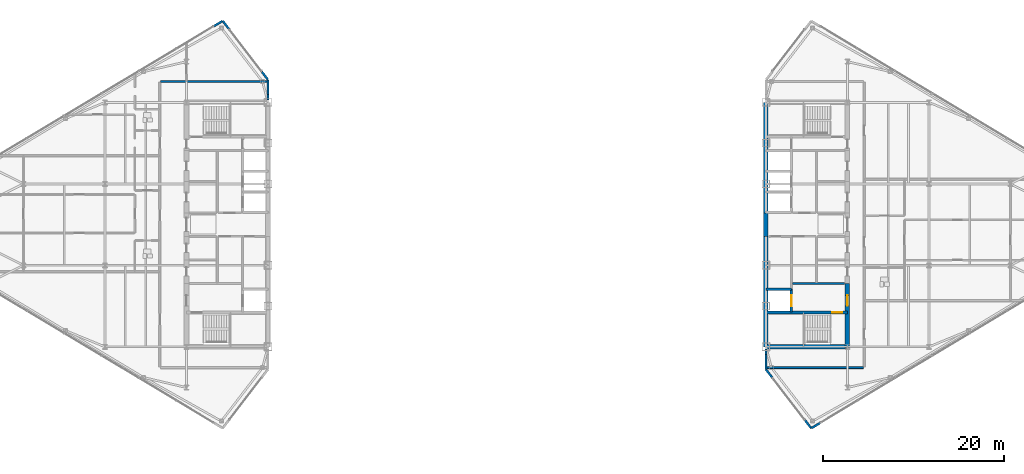
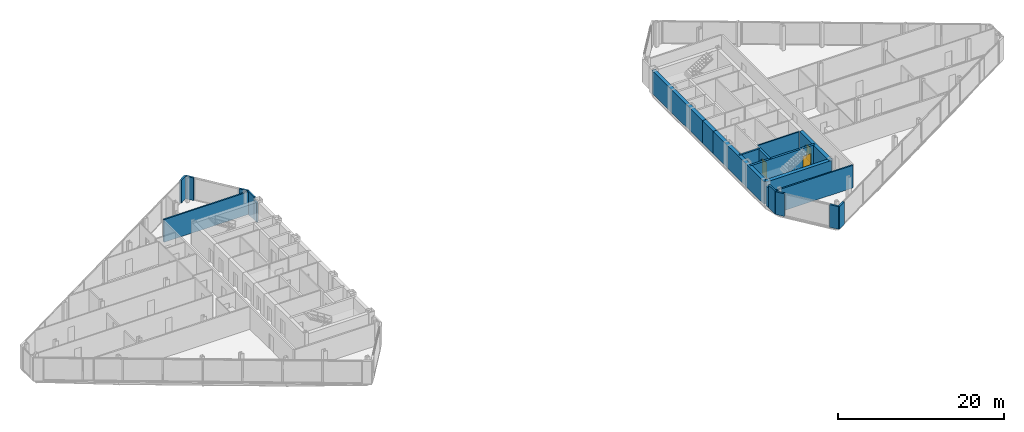
# One storey, part 21 of 26: 21 walls, 3 doors, 3 openings.
"""IFC4 building model written with IfcOpenShell, lengths in metres."""

import ifcopenshell
import ifcopenshell.guid

model = None  # the IFC model being written
_history = None  # IfcOwnerHistory: only IFC2X3 demands one
_inside = {}  # id of a spatial element -> (the spatial element, [elements in it])
_under = {}  # id of a project, library or spatial element -> (it, [spatial elements below it])
_declared = {}  # id of a project -> (the project, [libraries it declares])
_typed = {}  # id of a type object -> (the type object, [elements of that type])
_made_of = {}  # id of a material, layer set ... -> (it, [elements and type objects made of it])


def new_model(schema):
    """Start an empty IFC model of exactly this schema.

    Asked for "IFC4X3", IfcOpenShell would pick the latest addendum, in which some entities
    have other attributes; the version numbers below select the first issue.
    IFC2X3 requires an IfcOwnerHistory on every rooted entity: one is made here for all.
    """
    global model, _history
    if schema == "IFC4X3":
        model = ifcopenshell.file(schema_version=(4, 3, 0, 0))
    else:
        model = ifcopenshell.file(schema=schema)
    _inside.clear()
    _under.clear()
    _declared.clear()
    _typed.clear()
    _made_of.clear()
    _history = None
    if model.schema == "IFC2X3":
        org = make("IfcOrganization", Name="unknown")
        user = make(
            "IfcPersonAndOrganization",
            ThePerson=make("IfcPerson", FamilyName="unknown"),
            TheOrganization=org,
        )
        app = make(
            "IfcApplication",
            ApplicationDeveloper=org,
            Version="unknown",
            ApplicationFullName="unknown",
            ApplicationIdentifier="unknown",
        )
        _history = make(
            "IfcOwnerHistory",
            OwningUser=user,
            OwningApplication=app,
            ChangeAction="ADDED",
            CreationDate=0,
        )
    return model


def make(cls, **values):
    """One entity of the class cls with the attributes given. An attribute that is None is left unset."""
    return model.create_entity(
        cls, **{name: value for name, value in values.items() if value is not None}
    )


def rooted(cls, **values):
    """An entity with a GlobalId (a new one), such as an element, a storey or a relation."""
    return make(cls, GlobalId=ifcopenshell.guid.new(), OwnerHistory=_history, **values)


def si_unit(unit_type, name, prefix=None):
    """IfcSIUnit, for example si_unit("LENGTHUNIT", "METRE", prefix="MILLI")."""
    return make("IfcSIUnit", UnitType=unit_type, Prefix=prefix, Name=name)


def assignment(units):
    """IfcUnitAssignment: the units of a project."""
    return None if units is None else make("IfcUnitAssignment", Units=units)


def point(xyz):
    """IfcCartesianPoint."""
    return None if xyz is None else make("IfcCartesianPoint", Coordinates=xyz)


def direction(xyz):
    """IfcDirection."""
    return None if xyz is None else make("IfcDirection", DirectionRatios=xyz)


def frame(location, z_axis=None, x_axis=None):
    """IfcAxis2Placement3D, a coordinate frame: its origin and axes. An axis left out is left unset."""
    return make(
        "IfcAxis2Placement3D",
        Location=point(location),
        Axis=direction(z_axis),
        RefDirection=direction(x_axis),
    )


def frame_2d(location, x_axis=None):
    """IfcAxis2Placement2D, a coordinate frame in the plane: its origin and x axis."""
    return make(
        "IfcAxis2Placement2D", Location=point(location), RefDirection=direction(x_axis)
    )


def origin():
    """The frame at (0, 0, 0) with its axes left unset."""
    return frame((0.0, 0.0, 0.0))


def place(relative_to, where):
    """IfcLocalPlacement: puts the frame where relative to a parent placement (None: the world)."""
    return make(
        "IfcLocalPlacement", PlacementRelTo=relative_to, RelativePlacement=where
    )


def context(
    kind, dimensions, precision=None, world=None, true_north=None, identifier=None
):
    """IfcGeometricRepresentationContext, for example the 3D "Model" context."""
    return make(
        "IfcGeometricRepresentationContext",
        ContextIdentifier=identifier,
        ContextType=kind,
        CoordinateSpaceDimension=dimensions,
        Precision=precision,
        WorldCoordinateSystem=world,
        TrueNorth=true_north,
    )


def subcontext(parent, identifier, kind, view, scale=None):
    """IfcGeometricRepresentationSubContext, for example "Body" below "Model"."""
    return make(
        "IfcGeometricRepresentationSubContext",
        ContextIdentifier=identifier,
        ContextType=kind,
        ParentContext=parent,
        TargetScale=scale,
        TargetView=view,
    )


def project(units=None, contexts=None):
    """IfcProject with its units and contexts."""
    return rooted(
        "IfcProject",
        Name="project",
        RepresentationContexts=contexts,
        UnitsInContext=assignment(units),
    )


def spatial(cls, under=None, at=None, **own):
    """A site, building, storey or space (cls), placed at a placement, below another one or the project."""
    s = rooted(cls, ObjectPlacement=at, **own)
    if under is not None:
        _under.setdefault(under.id(), (under, []))[1].append(s)
    return s


def profile(cls, at=None, kind="AREA", **sizes):
    """A parametric profile (cls). Its sizes go by their IFC names, for example OverallWidth=200.0."""
    return make(cls, ProfileType=kind, Position=at, **sizes)


def rectangle(**sizes):
    """IfcRectangleProfileDef."""
    return profile("IfcRectangleProfileDef", **sizes)


def extrude(swept, where, along, depth):
    """IfcExtrudedAreaSolid: the profile swept, set in the frame where, extruded along a direction by depth."""
    return make(
        "IfcExtrudedAreaSolid",
        SweptArea=swept,
        Position=where,
        ExtrudedDirection=direction(along),
        Depth=depth,
    )


def shape(context_of_items, identifier, shape_type, items):
    """IfcShapeRepresentation: the items that make up one representation, for example the "Body"."""
    return make(
        "IfcShapeRepresentation",
        ContextOfItems=context_of_items,
        RepresentationIdentifier=identifier,
        RepresentationType=shape_type,
        Items=items,
    )


def source(mapping_origin, context_of_items, identifier, shape_type, items):
    """IfcRepresentationMap: a shape defined once, which mapped items show again and again."""
    return make(
        "IfcRepresentationMap",
        MappingOrigin=mapping_origin,
        MappedRepresentation=shape(context_of_items, identifier, shape_type, items),
    )


def transform(
    local_origin,
    x_axis=None,
    y_axis=None,
    z_axis=None,
    scale=None,
    scale2=None,
    scale3=None,
    uniform=True,
):
    """IfcCartesianTransformationOperator3D, or its non-uniform kind. x_axis, y_axis, z_axis: its Axis1, 2, 3."""
    if uniform:
        return make(
            "IfcCartesianTransformationOperator3D",
            Axis1=direction(x_axis),
            Axis2=direction(y_axis),
            LocalOrigin=point(local_origin),
            Scale=scale,
            Axis3=direction(z_axis),
        )
    return make(
        "IfcCartesianTransformationOperator3DnonUniform",
        Axis1=direction(x_axis),
        Axis2=direction(y_axis),
        LocalOrigin=point(local_origin),
        Scale=scale,
        Axis3=direction(z_axis),
        Scale2=scale2,
        Scale3=scale3,
    )


def mapped(mapping_source, mapping_target):
    """IfcMappedItem: shows the shape of a source again, moved by a transform."""
    return make(
        "IfcMappedItem", MappingSource=mapping_source, MappingTarget=mapping_target
    )


def material(Name=None, Category=None):
    """IfcMaterial."""
    return make("IfcMaterial", Name=Name, Category=Category)


def layer(
    of_material, thickness, ventilated=None, Name=None, Category=None, Priority=None
):
    """IfcMaterialLayer: one layer of a wall or slab, of a material (None: an air gap)."""
    return make(
        "IfcMaterialLayer",
        Material=of_material,
        LayerThickness=thickness,
        IsVentilated=ventilated,
        Name=Name,
        Category=Category,
        Priority=Priority,
    )


def layer_set(layers, Name=None):
    """IfcMaterialLayerSet."""
    return make("IfcMaterialLayerSet", MaterialLayers=layers, LayerSetName=Name)


def made_of(thing, what):
    """Note that an element or type object is made of a material, layer set ...; save() writes the relation."""
    if what is not None:
        _made_of.setdefault(what.id(), (what, []))[1].append(thing)
    return thing


def type_object(cls, material=None, **own):
    """A type object (cls), such as IfcWallType, which elements share."""
    return made_of(rooted(cls, **own), material)


def type_shapes(of_type, sources):
    """Give a type object the sources (RepresentationMaps) that its elements show as mapped items."""
    of_type.RepresentationMaps = sources


def element(
    cls,
    number,
    at=None,
    inside=None,
    cuts=None,
    type_object=None,
    material=None,
    context=None,
    identifier="Body",
    shape_type=None,
    held_by="IfcProductDefinitionShape",
    body=None,
    shapes=None,
    **own,
):
    """One element of the class cls, such as IfcWall. Its Tag is "e" and its number.

    at: its placement. inside: the storey or other place that contains it. cuts: it is an
    opening in that element (IfcRelVoidsElement). A single representation is given by context,
    identifier, shape_type and body (its items); several are given by shapes. held_by: the class
    of the entity that holds the representations. save() writes the other relations.
    """
    e = rooted(cls, Tag="e%d" % number, ObjectPlacement=at, **own)
    if body is not None:
        shapes = [shape(context, identifier, shape_type, body)]
    if shapes is not None:
        e.Representation = make(held_by, Representations=shapes)
    if inside is not None:
        _inside.setdefault(inside.id(), (inside, []))[1].append(e)
    if cuts is not None:
        rooted(
            "IfcRelVoidsElement", RelatingBuildingElement=cuts, RelatedOpeningElement=e
        )
    if type_object is not None:
        _typed.setdefault(type_object.id(), (type_object, []))[1].append(e)
    return made_of(e, material)


def fill(opening, filler):
    """IfcRelFillsElement: the door or window that sits in an opening."""
    return rooted(
        "IfcRelFillsElement",
        RelatingOpeningElement=opening,
        RelatedBuildingElement=filler,
    )


def aggregate(whole, parts):
    """IfcRelAggregates: a whole, such as a stair, and the parts it consists of."""
    return rooted("IfcRelAggregates", RelatingObject=whole, RelatedObjects=parts)


def save(model, path):
    """Write the relations noted so far, then the file.

    IfcRelAggregates (storeys below a building ...), IfcRelContainedInSpatialStructure (elements
    in a storey), IfcRelDefinesByType, IfcRelAssociatesMaterial and IfcRelDeclares: one each for
    every whole, place, type object, material and project.
    """
    for whole, parts in _under.values():
        aggregate(whole, parts)
    for where, things in _inside.values():
        rooted(
            "IfcRelContainedInSpatialStructure",
            RelatedElements=things,
            RelatingStructure=where,
        )
    for kind, things in _typed.values():
        rooted("IfcRelDefinesByType", RelatedObjects=things, RelatingType=kind)
    for what, things in _made_of.values():
        rooted("IfcRelAssociatesMaterial", RelatedObjects=things, RelatingMaterial=what)
    for by, libraries in _declared.values():
        rooted("IfcRelDeclares", RelatingContext=by, RelatedDefinitions=libraries)
    model.write(path)


model = new_model("IFC4")

# Units and contexts
model_context = context("Model", 3, precision=1e-05, world=origin(), true_north=direction((0.0, 1.0)))
body_context = subcontext(model_context, "Body", "Model", "MODEL_VIEW")
ifc_project = project(units=[si_unit("LENGTHUNIT", "METRE"), si_unit("AREAUNIT", "SQUARE_METRE"), si_unit("VOLUMEUNIT", "CUBIC_METRE"), si_unit("PLANEANGLEUNIT", "RADIAN"), si_unit("MASSUNIT", "GRAM", prefix="KILO")], contexts=[model_context])

# Site, building, storey
site_placement = place(None, origin())
site = spatial("IfcSite", under=ifc_project, at=site_placement, CompositionType="ELEMENT")
building_placement = place(site_placement, origin())
building = spatial("IfcBuilding", under=site, at=building_placement, Name="Seokmaru Belvedere", CompositionType="ELEMENT")
storey_placement = place(building_placement, frame((0.0, 0.0, 221.10009765625)))
storey = spatial("IfcBuildingStorey", under=building, at=storey_placement, Name="L59", CompositionType="ELEMENT", Elevation=221.10009765625)

# Walls
ifc_material_1 = material(Name="Fire-Rated Gypsum Shaftwall")
ifc_layer_1 = layer(ifc_material_1, 0.179931640625)
ifc_layer_set_1 = layer_set([ifc_layer_1], Name="Fire-Rated Gypsum Shaftwall")
wall_type_1 = type_object("IfcWallType", Name="Core Service Fire Partition 180", PredefinedType="PARTITIONING", material=ifc_layer_set_1)
wall_1_placement = place(storey_placement, frame((30.449951171875, -6.5, 0.0), z_axis=(0.0, 0.0, 1.0), x_axis=(1.0, 0.0, 0.0)))
element("IfcWall", 1, at=wall_1_placement, inside=storey, type_object=wall_type_1, Name="L59 East Firefighting Lobby Partition", PredefinedType="PARTITIONING", context=body_context, shape_type="SweptSolid", body=[
    extrude(rectangle(XDim=5.699951171875, YDim=0.179931640625, at=frame_2d((2.85009765625, 0.0))), origin(), (0.0, 0.0, 1.0), 3.33984375),
])
ifc_material_2 = material(Name="Concrete C50 (50 MPa)", Category="concrete")
ifc_layer_2 = layer(ifc_material_2, 0.25)
ifc_layer_set_2 = layer_set([ifc_layer_2], Name="Concrete C50 (50 MPa)")
wall_type_2 = type_object("IfcWallType", Name="Hoistway Transverse Concrete Divider Wall 250", PredefinedType="SHEAR", material=ifc_layer_set_2)
wall_2_placement = place(storey_placement, frame((27.5, -7.14990234375, 0.0), z_axis=(0.0, 0.0, 1.0), x_axis=(1.0, 0.0, 0.0)))
element("IfcWall", 2, at=wall_2_placement, inside=storey, type_object=wall_type_2, Name="L59 East Hoistway Divider Core Wall 1", PredefinedType="SHEAR", context=body_context, shape_type="SweptSolid", body=[
    extrude(rectangle(XDim=2.800048828125, YDim=0.25, at=frame_2d((1.39990234375, 0.0))), origin(), (0.0, 0.0, 1.0), 3.33984375),
])
ifc_layer_3 = layer(ifc_material_1, 0.199951171875)
ifc_layer_set_3 = layer_set([ifc_layer_3], Name="Fire-Rated Gypsum Shaftwall")
wall_type_3 = type_object("IfcWallType", Name="Inter-Tenancy Fire Compartment Partition 200", PredefinedType="PARTITIONING", material=ifc_layer_set_3)
wall_3_placement = place(storey_placement, frame((27.625, -15.800048828125, 0.0), z_axis=(0.0, 0.0, 1.0), x_axis=(1.0, 0.0, 0.0)))
element("IfcWall", 3, at=wall_3_placement, inside=storey, type_object=wall_type_3, Name="L59 Interior Partition 002", PredefinedType="PARTITIONING", context=body_context, shape_type="SweptSolid", body=[
    extrude(rectangle(XDim=10.639892578125, YDim=0.199951171875, at=frame_2d((5.31982421875, 0.0))), origin(), (0.0, 0.0, 1.0), 3.33984375),
])
wall_4_placement = place(storey_placement, frame((-39.364990234375, 15.800048828125, 0.0), z_axis=(0.0, 0.0, 1.0), x_axis=(1.0, 0.0, 0.0)))
element("IfcWall", 4, at=wall_4_placement, inside=storey, type_object=wall_type_3, Name="L59 Interior Partition 018", PredefinedType="PARTITIONING", context=body_context, shape_type="SweptSolid", body=[
    extrude(rectangle(XDim=11.739990234375, YDim=0.199951171875, at=frame_2d((5.8701171875, 0.0))), origin(), (0.0, 0.0, 1.0), 3.33984375),
])

# Wall, opening, door
ifc_layer_4 = layer(ifc_material_2, 0.300048828125)
ifc_layer_set_4 = layer_set([ifc_layer_4], Name="Concrete C50 (50 MPa)")
wall_type_4 = type_object("IfcWallType", Name="Internal Core Stair and Hoistway Wall 300", PredefinedType="SHEAR", material=ifc_layer_set_4)
wall_5_placement = place(storey_placement, frame((27.5, -9.699951171875, 0.0), z_axis=(0.0, 0.0, 1.0), x_axis=(1.0, 0.0, 0.0)))
wall_5 = element("IfcWall", 5, at=wall_5_placement, inside=storey, type_object=wall_type_4, Name="L59 East Stair ST-1 Enclosure Wall", PredefinedType="SHEAR", context=body_context, shape_type="SweptSolid", body=[
    extrude(rectangle(XDim=9.0, YDim=0.300048828125, at=frame_2d((4.5, 0.0))), origin(), (0.0, 0.0, 1.0), 3.33984375),
])
opening_1_placement = place(wall_5_placement, frame((7.300048828125, 0.0, 0.0)))
opening_1 = element("IfcOpeningElement", 6, at=opening_1_placement, cuts=wall_5, Name="Opening D01", PredefinedType="OPENING", context=body_context, shape_type="SweptSolid", body=[
    extrude(rectangle(XDim=1.10009765625, YDim=2.199951171875, at=frame_2d((0.550048828125, 1.10009765625))), frame((0.0, 0.16015625, 0.0), z_axis=(0.0, -1.0, 0.0), x_axis=(1.0, 0.0, 0.0)), (0.0, 0.0, 1.0), 0.320068359375),
])
ifc_material_3 = material(Name="Fire-Rated Steel Leaf", Category="steel")
door_type_1 = type_object("IfcDoorType", Name="Special Escape Stair Smokeproof Fire Door 1100x2200", OperationType="NOTDEFINED", PredefinedType="DOOR", material=ifc_material_3)
shared_shape_1 = source(origin(), body_context, "Body", "SweptSolid", [
    extrude(rectangle(XDim=1.10009765625, YDim=2.199951171875, at=frame_2d((0.550048828125, 1.10009765625))), frame((0.0, 0.02490234375, 0.0), z_axis=(0.0, -1.0, 0.0), x_axis=(1.0, 0.0, 0.0)), (0.0, 0.0, 1.0), 0.050048828125),
])
type_shapes(door_type_1, [shared_shape_1])
door_1_placement = place(opening_1_placement, frame((1.10009765625, 0.0, 0.0), z_axis=(0.0, 0.0, 1.0), x_axis=(-1.0, 0.0, 0.0)))
door_1 = element("IfcDoor", 7, at=door_1_placement, inside=storey, type_object=door_type_1, Name="L59 East Special Escape Stair ST-1 Door", OperationType="SINGLE_SWING_RIGHT", OverallHeight=2.199951171875, OverallWidth=1.10009765625, PredefinedType="DOOR", context=body_context, shape_type="MappedRepresentation", body=[
    mapped(shared_shape_1, transform((0.0, 0.0, 0.0), scale=1.0)),
])
fill(opening_1, door_1)

wall_6_placement = place(storey_placement, frame((30.300048828125, -9.679931640625, 0.0), z_axis=(0.0, 0.0, 1.0), x_axis=(0.0, 1.0, 0.0)))
wall_6 = element("IfcWall", 8, at=wall_6_placement, inside=storey, type_object=wall_type_4, Name="L59 East Firefighting Lift Shaft Front Wall", PredefinedType="SHEAR", context=body_context, shape_type="SweptSolid", body=[
    extrude(rectangle(XDim=2.559814453125, YDim=0.300048828125, at=frame_2d((1.27978515625, 0.0))), origin(), (0.0, 0.0, 1.0), 3.33984375),
])
opening_2_placement = place(wall_6_placement, frame((0.679931640625, 0.0, 0.0)))
opening_2 = element("IfcOpeningElement", 9, at=opening_2_placement, cuts=wall_6, Name="Opening LD2", PredefinedType="OPENING", context=body_context, shape_type="SweptSolid", body=[
    extrude(rectangle(XDim=1.199951171875, YDim=2.25, at=frame_2d((0.60009765625, 1.125))), frame((0.0, 0.16015625, 0.0), z_axis=(0.0, -1.0, 0.0), x_axis=(1.0, 0.0, 0.0)), (0.0, 0.0, 1.0), 0.320068359375),
])
ifc_material_4 = material(Name="Stainless Steel 316", Category="steel")
door_type_2 = type_object("IfcDoorType", Name="Firefighting Lift Sliding Landing Door 1200x2250", OperationType="DOUBLE_DOOR_SLIDING", PredefinedType="DOOR", material=ifc_material_4)
shared_shape_2 = source(origin(), body_context, "Body", "SweptSolid", [
    extrude(rectangle(XDim=1.199951171875, YDim=2.25, at=frame_2d((0.60009765625, 1.125))), frame((0.0, 0.02490234375, 0.0), z_axis=(0.0, -1.0, 0.0), x_axis=(1.0, 0.0, 0.0)), (0.0, 0.0, 1.0), 0.050048828125),
])
type_shapes(door_type_2, [shared_shape_2])
door_2_placement = place(opening_2_placement, origin())
door_2 = element("IfcDoor", 10, at=door_2_placement, inside=storey, type_object=door_type_2, Name="L59 East Firefighting Lift Landing Door", OperationType="DOUBLE_DOOR_SLIDING", OverallHeight=2.25, OverallWidth=1.199951171875, PredefinedType="DOOR", context=body_context, shape_type="MappedRepresentation", body=[
    mapped(shared_shape_2, transform((0.0, 0.0, 0.0), scale=1.0)),
])
fill(opening_2, door_2)

# Walls
ifc_material_5 = material(Name="Anodised Bronze Aluminium", Category="aluminium")
ifc_layer_5 = layer(ifc_material_5, 0.239990234375)
ifc_layer_set_5 = layer_set([ifc_layer_5], Name="Anodised Bronze Aluminium")
wall_type_5 = type_object("IfcWallType", Name="Tower Corner Spandrel Closure Wall 240", PredefinedType="SOLIDWALL", material=ifc_layer_set_5)
wall_7_placement = place(storey_placement, frame((-27.5, 13.7548828125, 0.0), z_axis=(0.0, 0.0, 1.0), x_axis=(0.0, 1.0, 0.0)))
element("IfcWall", 11, at=wall_7_placement, inside=storey, type_object=wall_type_5, Name="L59 W Shoulder Closure Wall 2", PredefinedType="SOLIDWALL", context=body_context, shape_type="SweptSolid", body=[
    extrude(rectangle(XDim=0.619873046875, YDim=0.239990234375, at=frame_2d((0.31005859375, 0.0))), origin(), (0.0, 0.0, 1.0), 2.83984375),
])
wall_8_placement = place(storey_placement, frame((-27.5, 14.374755859375, 0.0), z_axis=(0.0, 0.0, 1.0), x_axis=(0.0, 1.0, 0.0)))
element("IfcWall", 12, at=wall_8_placement, inside=storey, type_object=wall_type_5, Name="L59 W Shoulder Closure Wall 2 Part 2", PredefinedType="SOLIDWALL", context=body_context, shape_type="SweptSolid", body=[
    extrude(rectangle(XDim=1.605224609375, YDim=0.239990234375, at=frame_2d((0.802734375, 0.0))), origin(), (0.0, 0.0, 1.0), 3.33984375),
])
for number, where, z_axis, x_axis, name in (
    (13, (-27.506103515625, 16.0078125, 0.0), (0.0, 0.0, 1.0), (-0.609617623633, 0.792695624408, 0.0), "L59 W Corner Closure Pier 2A"),
    (14, (-31.798828125, 21.58837890625, 0.0), (0.0, 0.0, 1.0), (-0.609617623633, 0.792695624408, 0.0), "L59 W Corner Closure Pier 2B"),
    (15, (-32.508544921875, 22.494873046875, 0.0), (0.0, 0.0, 1.0), (-0.85743623509, -0.514590228002, 0.0), "L59 W Corner Closure Pier 3A"),
    (16, (32.508544921875, -22.494873046875, 0.0), (0.0, 0.0, 1.0), (0.85743623509, 0.514590228002, 0.0), "L59 E Corner Closure Pier 1A"),
):
    element("IfcWall", number, at=place(storey_placement, frame(where, z_axis=z_axis, x_axis=x_axis)), inside=storey, type_object=wall_type_5, Name=name, PredefinedType="SOLIDWALL", context=body_context, shape_type="SweptSolid", body=[
        extrude(rectangle(XDim=1.14013671875, YDim=0.239990234375, at=frame_2d((0.570068359375, 0.0))), origin(), (0.0, 0.0, 1.0), 3.33984375),
    ])
wall_9_placement = place(storey_placement, frame((27.5, -15.97998046875, 0.0), z_axis=(0.0, 0.0, 1.0), x_axis=(0.0, 1.0, 0.0)))
element("IfcWall", 17, at=wall_9_placement, inside=storey, type_object=wall_type_5, Name="L59 E Shoulder Closure Wall 1", PredefinedType="SOLIDWALL", context=body_context, shape_type="SweptSolid", body=[
    extrude(rectangle(XDim=1.605224609375, YDim=0.239990234375, at=frame_2d((0.802734375, 0.0))), origin(), (0.0, 0.0, 1.0), 3.33984375),
])
wall_10_placement = place(storey_placement, frame((27.5, -14.374755859375, 0.0), z_axis=(0.0, 0.0, 1.0), x_axis=(0.0, 1.0, 0.0)))
element("IfcWall", 18, at=wall_10_placement, inside=storey, type_object=wall_type_5, Name="L59 E Shoulder Closure Wall 1 Part 2", PredefinedType="SOLIDWALL", context=body_context, shape_type="SweptSolid", body=[
    extrude(rectangle(XDim=0.619873046875, YDim=0.239990234375, at=frame_2d((0.31005859375, 0.0))), origin(), (0.0, 0.0, 1.0), 2.83984375),
])
for number, where, z_axis, x_axis, name in (
    (19, (27.506103515625, -16.0078125, 0.0), (0.0, 0.0, 1.0), (0.609617623633, -0.792695624408, 0.0), "L59 E Corner Closure Pier 6A"),
    (20, (31.798828125, -21.58837890625, 0.0), (0.0, 0.0, 1.0), (0.609617623633, -0.792695624408, 0.0), "L59 E Corner Closure Pier 6B"),
):
    element("IfcWall", number, at=place(storey_placement, frame(where, z_axis=z_axis, x_axis=x_axis)), inside=storey, type_object=wall_type_5, Name=name, PredefinedType="SOLIDWALL", context=body_context, shape_type="SweptSolid", body=[
        extrude(rectangle(XDim=1.14013671875, YDim=0.239990234375, at=frame_2d((0.570068359375, 0.0))), origin(), (0.0, 0.0, 1.0), 3.33984375),
    ])
ifc_layer_6 = layer(ifc_material_2, 0.5)
ifc_layer_set_6 = layer_set([ifc_layer_6], Name="Concrete C50 (50 MPa)")
wall_type_6 = type_object("IfcWallType", Name="Upper Tower Reinforced Concrete Core Wall 500", PredefinedType="SHEAR", material=ifc_layer_set_6)
for number, where, z_axis, x_axis, name in (
    (21, (27.5, -13.5, 0.0), (0.0, 0.0, 1.0), (0.0, 1.0, 0.0), "L59 East Portal Spine Core Wall South"),
    (22, (27.5, 1.300048828125, 0.0), (0.0, 0.0, 1.0), (0.0, 1.0, 0.0), "L59 East Portal Spine Core Wall North"),
):
    element("IfcWall", number, at=place(storey_placement, frame(where, z_axis=z_axis, x_axis=x_axis)), inside=storey, type_object=wall_type_6, Name=name, PredefinedType="SHEAR", context=body_context, shape_type="SweptSolid", body=[
        extrude(rectangle(XDim=12.199951171875, YDim=0.5, at=frame_2d((6.10009765625, 0.0))), origin(), (0.0, 0.0, 1.0), 3.33984375),
    ])
wall_11_placement = place(storey_placement, frame((27.5, -1.300048828125, 0.0), z_axis=(0.0, 0.0, 1.0), x_axis=(0.0, 1.0, 0.0)))
element("IfcWall", 23, at=wall_11_placement, inside=storey, type_object=wall_type_6, Name="L59 East Portal Spine Core Wall Center", PredefinedType="SHEAR", context=body_context, shape_type="SweptSolid", body=[
    extrude(rectangle(XDim=2.60009765625, YDim=0.5, at=frame_2d((1.300048828125, 0.0))), origin(), (0.0, 0.0, 1.0), 3.33984375),
])
wall_12_placement = place(storey_placement, frame((27.5, -13.5, 0.0), z_axis=(0.0, 0.0, 1.0), x_axis=(1.0, 0.0, 0.0)))
element("IfcWall", 24, at=wall_12_placement, inside=storey, type_object=wall_type_6, Name="L59 East South Core Wall", PredefinedType="SHEAR", context=body_context, shape_type="SweptSolid", body=[
    extrude(rectangle(XDim=9.0, YDim=0.5, at=frame_2d((4.5, 0.0))), origin(), (0.0, 0.0, 1.0), 3.33984375),
])

# Wall, opening, door
wall_13_placement = place(storey_placement, frame((36.5, -13.64990234375, 0.0), z_axis=(0.0, 0.0, 1.0), x_axis=(0.0, 1.0, 0.0)))
wall_13 = element("IfcWall", 25, at=wall_13_placement, inside=storey, type_object=wall_type_6, Name="L59 East West Core Wall FF", PredefinedType="SHEAR", context=body_context, shape_type="SweptSolid", body=[
    extrude(rectangle(XDim=7.14990234375, YDim=0.5, at=frame_2d((3.574951171875, 0.0))), origin(), (0.0, 0.0, 1.0), 3.33984375),
])
opening_3_placement = place(wall_13_placement, frame((4.675048828125, 0.0, 0.0)))
opening_3 = element("IfcOpeningElement", 26, at=opening_3_placement, cuts=wall_13, Name="Opening D02", PredefinedType="OPENING", context=body_context, shape_type="SweptSolid", body=[
    extrude(rectangle(XDim=1.14990234375, YDim=2.199951171875, at=frame_2d((0.574951171875, 1.10009765625))), frame((0.0, 0.260009765625, 0.0), z_axis=(0.0, -1.0, 0.0), x_axis=(1.0, 0.0, 0.0)), (0.0, 0.0, 1.0), 0.52001953125),
])
door_type_3 = type_object("IfcDoorType", Name="Lobby and Vestibule Fire Door 1150x2200", OperationType="NOTDEFINED", PredefinedType="DOOR", material=ifc_material_3)
shared_shape_3 = source(origin(), body_context, "Body", "SweptSolid", [
    extrude(rectangle(XDim=1.14990234375, YDim=2.199951171875, at=frame_2d((0.574951171875, 1.10009765625))), frame((0.0, 0.02490234375, 0.0), z_axis=(0.0, -1.0, 0.0), x_axis=(1.0, 0.0, 0.0)), (0.0, 0.0, 1.0), 0.050048828125),
])
type_shapes(door_type_3, [shared_shape_3])
door_3_placement = place(opening_3_placement, origin())
door_3 = element("IfcDoor", 27, at=door_3_placement, inside=storey, type_object=door_type_3, Name="L59 East Firefighting Lobby Door", OperationType="SINGLE_SWING_RIGHT", OverallHeight=2.199951171875, OverallWidth=1.14990234375, PredefinedType="DOOR", context=body_context, shape_type="MappedRepresentation", body=[
    mapped(shared_shape_3, transform((0.0, 0.0, 0.0), scale=1.0)),
])
fill(opening_3, door_3)

save(model, "model.ifc")
